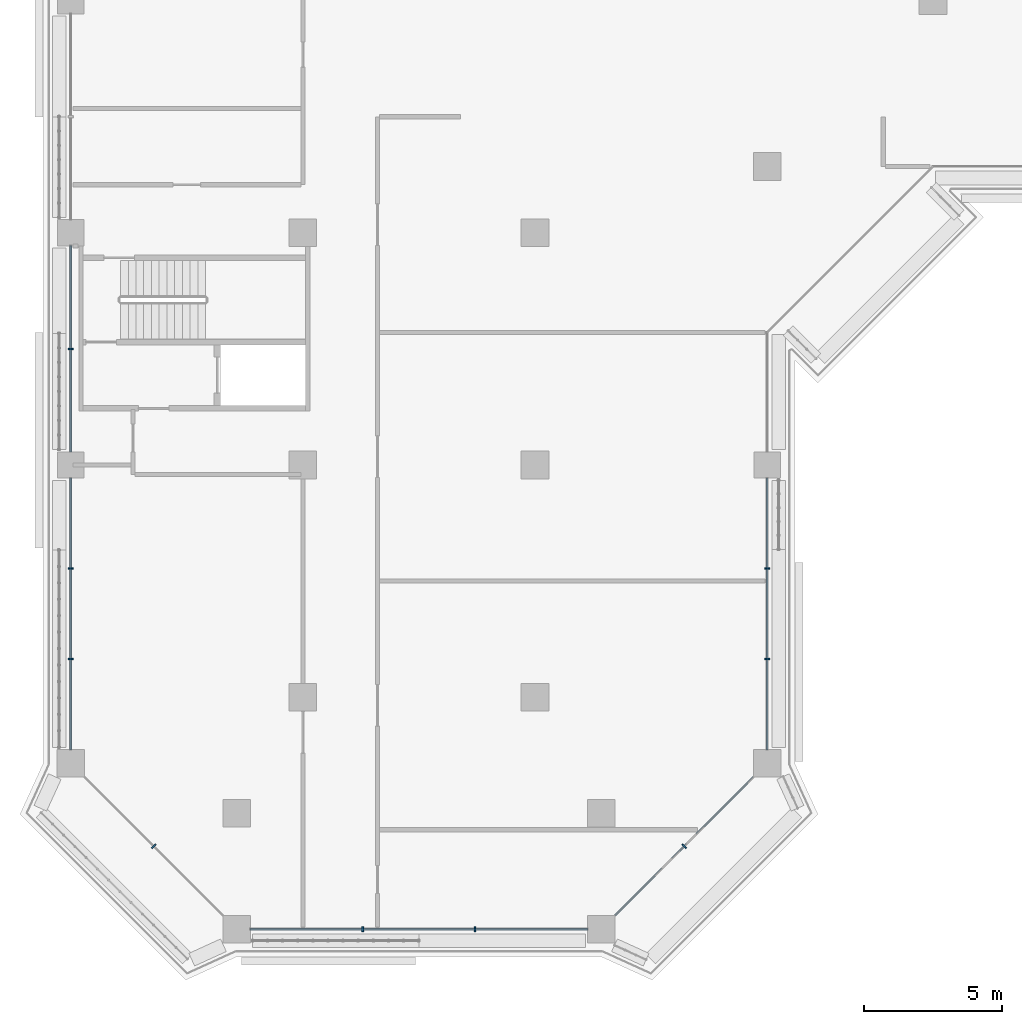
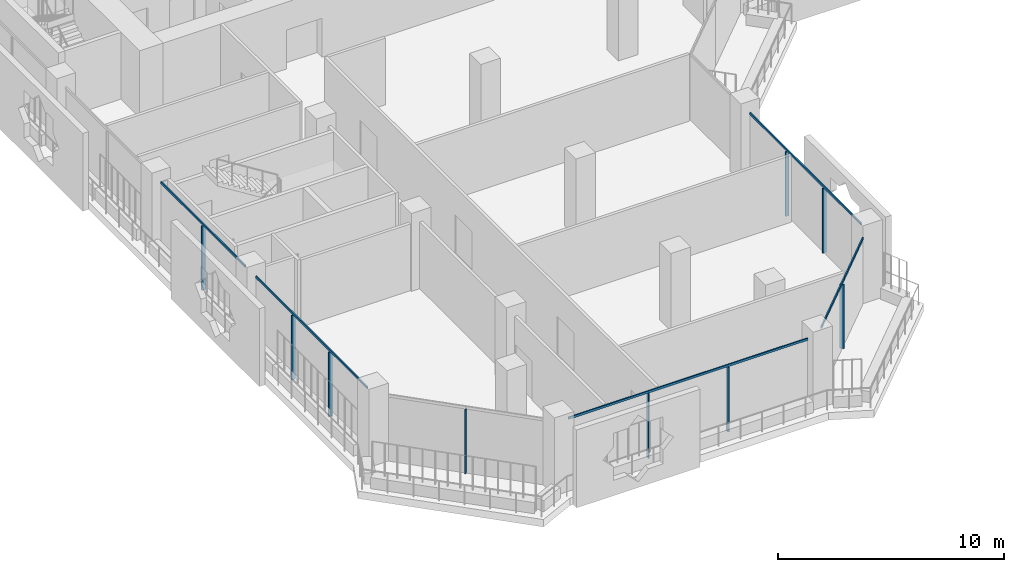
# One storey, part 2 of 23: 14 members, 5 elements without a shape of their own.
"""IFC4 building model written with IfcOpenShell, lengths in metres."""

from ifc_helpers import new_model, si_unit, direction, frame, origin, origin_2d, place, context, subcontext, project, spatial, rectangle, extrude, material, layer, layer_set, material_profile, profile_set, type_object, element, aggregate, save


model = new_model("IFC4")

# Units and contexts
model_context = context("Model", 3, precision=1e-05, world=origin(), true_north=direction((0.0, 1.0)))
body_context = subcontext(model_context, "Body", "Model", "MODEL_VIEW")
ifc_project = project(units=[si_unit("LENGTHUNIT", "METRE"), si_unit("AREAUNIT", "SQUARE_METRE"), si_unit("VOLUMEUNIT", "CUBIC_METRE"), si_unit("PLANEANGLEUNIT", "RADIAN"), si_unit("MASSUNIT", "GRAM", prefix="KILO")], contexts=[model_context])

# Site, building, storey
site_placement = place(None, origin())
site = spatial("IfcSite", under=ifc_project, at=site_placement, CompositionType="ELEMENT")
building_placement = place(site_placement, origin())
building = spatial("IfcBuilding", under=site, at=building_placement, Name="Kawkab Arch Medical Tower", CompositionType="ELEMENT")
storey_placement = place(building_placement, frame((0.0, 0.0, 158.39990234375)))
storey = spatial("IfcBuildingStorey", under=building, at=storey_placement, Name="L36", CompositionType="ELEMENT", Elevation=158.39990234375)

# Curtain wall, members
ifc_material_1 = material(Name="Bronze anodised aluminium curtain wall frame", Category="aluminium")
ifc_layer_1 = layer(ifc_material_1, 0.159912109375)
ifc_layer_set_1 = layer_set([ifc_layer_1], Name="Bronze anodised aluminium curtain wall frame")
curtain_wall_type_1 = type_object("IfcCurtainWallType", Name="CW1 ward curtain wall", PredefinedType="NOTDEFINED", material=ifc_layer_set_1)
placement = place(storey_placement, origin())
curtain_wall_1 = element("IfcCurtainWall", 1, at=placement, inside=storey, type_object=curtain_wall_type_1, Name="CW1 Ward curtain wall R11", PredefinedType="NOTDEFINED")
ifc_material_2 = material(Name="Bronze anodised aluminium curtain wall frame", Category="aluminium")
ifc_material_profile_1 = material_profile(ifc_material_2, rectangle(XDim=0.179931640625, YDim=0.06005859375, at=origin_2d()), Name="AL 60x180")
ifc_profile_set_1 = profile_set([ifc_material_profile_1], Name="Bronze anodised aluminium curtain wall frame")
member_type_1 = type_object("IfcMemberType", Name="CW1 mullion 60 x 180", PredefinedType="MULLION", material=ifc_profile_set_1)
member_1_placement = place(storey_placement, frame((0.0, -37.800048828125, 0.0), z_axis=(0.0, 0.0, 1.0), x_axis=(1.0, 0.0, 0.0)))
member_1 = element("IfcMember", 2, at=member_1_placement, type_object=member_type_1, Name="CW1 mullion 4.1", PredefinedType="MULLION", context=body_context, shape_type="SweptSolid", body=[
    extrude(rectangle(XDim=0.179931640625, YDim=0.06005859375, at=origin_2d()), origin(), (0.0, 0.0, 1.0), 3.47998046875),
])
member_2_placement = place(storey_placement, frame((0.0, -45.75, 0.0), z_axis=(0.0, 0.0, 1.0), x_axis=(1.0, 0.0, 0.0)))
member_2 = element("IfcMember", 3, at=member_2_placement, type_object=member_type_1, Name="CW1 mullion 5.1", PredefinedType="MULLION", context=body_context, shape_type="SweptSolid", body=[
    extrude(rectangle(XDim=0.179931640625, YDim=0.06005859375, at=origin_2d()), origin(), (0.0, 0.0, 1.0), 3.47998046875),
])
member_3_placement = place(storey_placement, frame((0.0, -49.02490234375, 0.0), z_axis=(0.0, 0.0, 1.0), x_axis=(1.0, 0.0, 0.0)))
member_3 = element("IfcMember", 4, at=member_3_placement, type_object=member_type_1, Name="CW1 mullion 5.2", PredefinedType="MULLION", context=body_context, shape_type="SweptSolid", body=[
    extrude(rectangle(XDim=0.179931640625, YDim=0.06005859375, at=origin_2d()), origin(), (0.0, 0.0, 1.0), 3.47998046875),
])

curtain_wall_2 = element("IfcCurtainWall", 5, at=placement, inside=storey, type_object=curtain_wall_type_1, Name="CW1 Ward curtain wall R13", PredefinedType="NOTDEFINED")
member_4_placement = place(storey_placement, frame((10.566650390625, -58.800048828125, 0.0), z_axis=(0.0, 0.0, 1.0), x_axis=(0.0, 1.0, 0.0)))
member_4 = element("IfcMember", 6, at=member_4_placement, type_object=member_type_1, Name="CW1 mullion 1.1", PredefinedType="MULLION", context=body_context, shape_type="SweptSolid", body=[
    extrude(rectangle(XDim=0.179931640625, YDim=0.06005859375, at=origin_2d()), origin(), (0.0, 0.0, 1.0), 3.47998046875),
])
member_5_placement = place(storey_placement, frame((14.63330078125, -58.800048828125, 0.0), z_axis=(0.0, 0.0, 1.0), x_axis=(0.0, 1.0, 0.0)))
member_5 = element("IfcMember", 7, at=member_5_placement, type_object=member_type_1, Name="CW1 mullion 1.2", PredefinedType="MULLION", context=body_context, shape_type="SweptSolid", body=[
    extrude(rectangle(XDim=0.179931640625, YDim=0.06005859375, at=origin_2d()), origin(), (0.0, 0.0, 1.0), 3.47998046875),
])

curtain_wall_3 = element("IfcCurtainWall", 8, at=placement, inside=storey, type_object=curtain_wall_type_1, Name="CW1 Ward curtain wall R15", PredefinedType="NOTDEFINED")
member_6_placement = place(storey_placement, frame((25.199951171875, -49.02490234375, 0.0), z_axis=(0.0, 0.0, 1.0), x_axis=(-1.0, 0.0, 0.0)))
member_6 = element("IfcMember", 9, at=member_6_placement, type_object=member_type_1, Name="CW1 mullion 1.1", PredefinedType="MULLION", context=body_context, shape_type="SweptSolid", body=[
    extrude(rectangle(XDim=0.179931640625, YDim=0.06005859375, at=origin_2d()), origin(), (0.0, 0.0, 1.0), 3.47998046875),
])
member_7_placement = place(storey_placement, frame((25.199951171875, -45.75, 0.0), z_axis=(0.0, 0.0, 1.0), x_axis=(-1.0, 0.0, 0.0)))
member_7 = element("IfcMember", 10, at=member_7_placement, type_object=member_type_1, Name="CW1 mullion 1.2", PredefinedType="MULLION", context=body_context, shape_type="SweptSolid", body=[
    extrude(rectangle(XDim=0.179931640625, YDim=0.06005859375, at=origin_2d()), origin(), (0.0, 0.0, 1.0), 3.47998046875),
])

# Member
ifc_material_3 = material(Name="Bronze anodised aluminium curtain wall frame", Category="aluminium")
ifc_material_profile_2 = material_profile(ifc_material_3, rectangle(XDim=0.06005859375, YDim=0.1201171875, at=origin_2d()), Name="AL 60x120")
ifc_profile_set_2 = profile_set([ifc_material_profile_2], Name="Bronze anodised aluminium curtain wall frame")
member_type_2 = type_object("IfcMemberType", Name="CW1 transom 120 x 60", PredefinedType="USERDEFINED", material=ifc_profile_set_2)
member_8_placement = place(storey_placement, frame((0.0, -34.074951171875, 3.5400390625), z_axis=(0.0, -1.0, 0.0), x_axis=(1.0, 0.0, 0.0)))
member_8 = element("IfcMember", 11, at=member_8_placement, type_object=member_type_2, Name="CW1 transom 4", ObjectType="TRANSOM", PredefinedType="USERDEFINED", context=body_context, shape_type="SweptSolid", body=[
    extrude(rectangle(XDim=0.06005859375, YDim=0.1201171875, at=origin_2d()), origin(), (0.0, 0.0, 1.0), 7.449951171875),
])

member_9_placement = place(storey_placement, frame((0.0, -42.47509765625, 3.5400390625), z_axis=(0.0, -1.0, 0.0), x_axis=(1.0, 0.0, 0.0)))
member_9 = element("IfcMember", 12, at=member_9_placement, type_object=member_type_2, Name="CW1 transom 5", ObjectType="TRANSOM", PredefinedType="USERDEFINED", context=body_context, shape_type="SweptSolid", body=[
    extrude(rectangle(XDim=0.06005859375, YDim=0.1201171875, at=origin_2d()), origin(), (0.0, 0.0, 1.0), 9.824951171875),
])

aggregate(curtain_wall_1, [member_8, member_1, member_9, member_2, member_3])

member_10_placement = place(storey_placement, frame((6.5, -58.800048828125, 3.5400390625), z_axis=(1.0, 0.0, 0.0), x_axis=(0.0, 1.0, 0.0)))
member_10 = element("IfcMember", 13, at=member_10_placement, type_object=member_type_2, Name="CW1 transom 1", ObjectType="TRANSOM", PredefinedType="USERDEFINED", context=body_context, shape_type="SweptSolid", body=[
    extrude(rectangle(XDim=0.06005859375, YDim=0.1201171875, at=origin_2d()), origin(), (0.0, 0.0, 1.0), 12.199951171875),
])

aggregate(curtain_wall_2, [member_10, member_4, member_5])

member_11_placement = place(storey_placement, frame((25.199951171875, -52.300048828125, 3.5400390625), z_axis=(0.0, 1.0, 0.0), x_axis=(-1.0, 0.0, 0.0)))
member_11 = element("IfcMember", 14, at=member_11_placement, type_object=member_type_2, Name="CW1 transom 1", ObjectType="TRANSOM", PredefinedType="USERDEFINED", context=body_context, shape_type="SweptSolid", body=[
    extrude(rectangle(XDim=0.06005859375, YDim=0.1201171875, at=origin_2d()), origin(), (0.0, 0.0, 1.0), 9.824951171875),
])

aggregate(curtain_wall_3, [member_11, member_6, member_7])

# Curtain wall, member
ifc_material_4 = material(Name="Bronze anodised aluminium curtain wall frame", Category="aluminium")
ifc_layer_2 = layer(ifc_material_4, 0.159912109375)
ifc_layer_set_2 = layer_set([ifc_layer_2], Name="Bronze anodised aluminium curtain wall frame")
curtain_wall_type_2 = type_object("IfcCurtainWallType", Name="CW2 chamfer curtain wall", PredefinedType="NOTDEFINED", material=ifc_layer_set_2)
curtain_wall_4 = element("IfcCurtainWall", 15, at=placement, inside=storey, type_object=curtain_wall_type_2, Name="CW2 Chamfer curtain wall R12", PredefinedType="NOTDEFINED")
ifc_material_5 = material(Name="Bronze anodised aluminium curtain wall frame", Category="aluminium")
ifc_material_profile_3 = material_profile(ifc_material_5, rectangle(XDim=0.199951171875, YDim=0.06005859375, at=origin_2d()), Name="AL 60x200")
ifc_profile_set_3 = profile_set([ifc_material_profile_3], Name="Bronze anodised aluminium curtain wall frame")
member_type_3 = type_object("IfcMemberType", Name="CW2 mullion 60 x 200", PredefinedType="MULLION", material=ifc_profile_set_3)
member_12_placement = place(storey_placement, frame((3.0, -55.800048828125, 0.0), z_axis=(0.0, 0.0, 1.0), x_axis=(0.707106781187, 0.707106781187, 0.0)))
member_12 = element("IfcMember", 16, at=member_12_placement, type_object=member_type_3, Name="CW2 mullion 1.1", PredefinedType="MULLION", context=body_context, shape_type="SweptSolid", body=[
    extrude(rectangle(XDim=0.199951171875, YDim=0.06005859375, at=origin_2d()), origin(), (0.0, 0.0, 1.0), 3.460205078125),
])
aggregate(curtain_wall_4, [member_12])

# Curtain wall, members
curtain_wall_5 = element("IfcCurtainWall", 17, at=placement, inside=storey, type_object=curtain_wall_type_2, Name="CW2 Chamfer curtain wall R14", PredefinedType="NOTDEFINED")
member_13_placement = place(storey_placement, frame((22.199951171875, -55.800048828125, 0.0), z_axis=(0.0, 0.0, 1.0), x_axis=(-0.707106781187, 0.707106781187, 0.0)))
member_13 = element("IfcMember", 18, at=member_13_placement, type_object=member_type_3, Name="CW2 mullion 1.1", PredefinedType="MULLION", context=body_context, shape_type="SweptSolid", body=[
    extrude(rectangle(XDim=0.199951171875, YDim=0.06005859375, at=origin_2d()), origin(), (0.0, 0.0, 1.0), 3.460205078125),
])
ifc_material_6 = material(Name="Bronze anodised aluminium curtain wall frame", Category="aluminium")
ifc_material_profile_4 = material_profile(ifc_material_6, rectangle(XDim=0.06005859375, YDim=0.139892578125, at=origin_2d()), Name="AL 60x140")
ifc_profile_set_4 = profile_set([ifc_material_profile_4], Name="Bronze anodised aluminium curtain wall frame")
member_type_4 = type_object("IfcMemberType", Name="CW2 transom 140 x 60", PredefinedType="USERDEFINED", material=ifc_profile_set_4)
member_14_placement = place(storey_placement, frame((19.699951171875, -58.300048828125, 3.530029296875), z_axis=(0.707106781187, 0.707106781187, 0.0), x_axis=(-0.707106781187, 0.707106781187, 0.0)))
member_14 = element("IfcMember", 19, at=member_14_placement, type_object=member_type_4, Name="CW2 transom 1", ObjectType="TRANSOM", PredefinedType="USERDEFINED", context=body_context, shape_type="SweptSolid", body=[
    extrude(rectangle(XDim=0.06005859375, YDim=0.139892578125, at=origin_2d()), origin(), (0.0, 0.0, 1.0), 7.071044921875),
])
aggregate(curtain_wall_5, [member_14, member_13])

save(model, "model.ifc")
